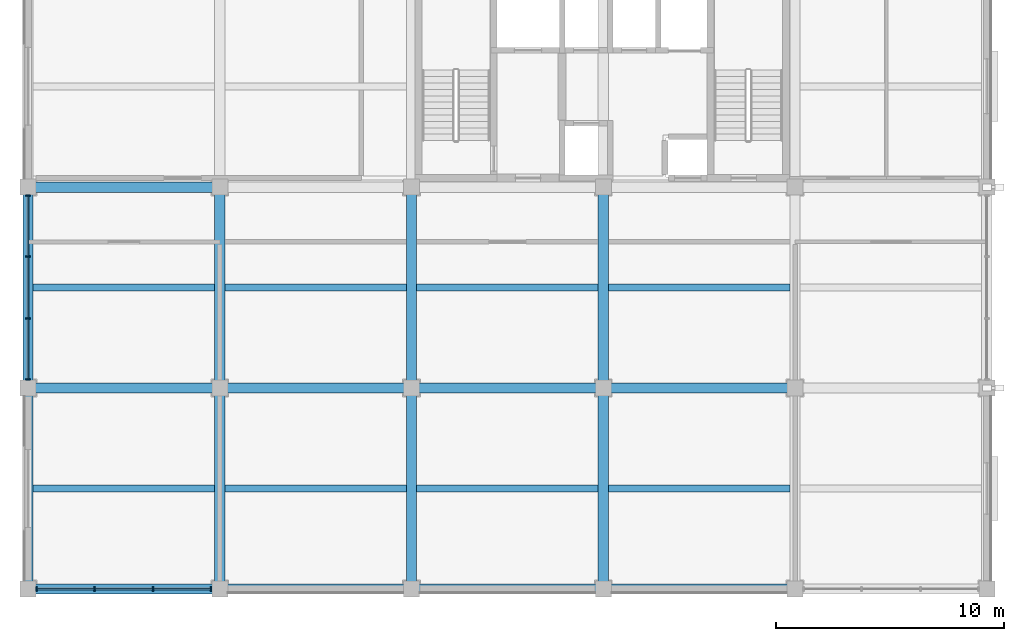
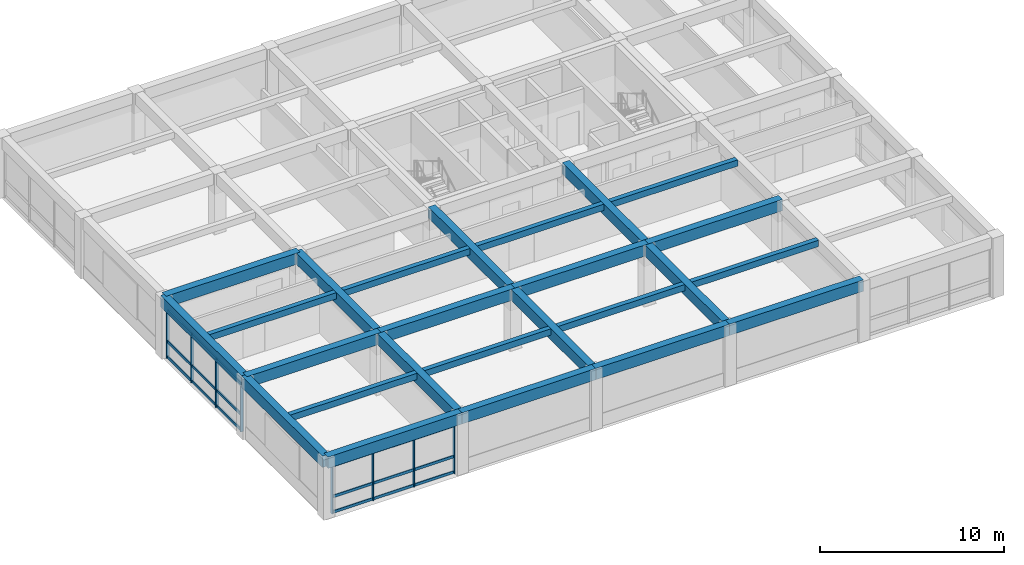
# One storey, part 2 of 14: 26 members, 25 beams, 2 elements without a shape of their own.
"""IFC4 building model written with IfcOpenShell, lengths in metres."""

from ifc_helpers import new_model, si_unit, direction, frame, origin, origin_2d, place, context, subcontext, project, spatial, rectangle, extrude, material, material_profile, profile_set, type_object, element, aggregate, save


model = new_model("IFC4")

# Units and contexts
model_context = context("Model", 3, precision=1e-05, world=origin(), true_north=direction((0.0, 1.0)))
body_context = subcontext(model_context, "Body", "Model", "MODEL_VIEW")
ifc_project = project(units=[si_unit("LENGTHUNIT", "METRE"), si_unit("AREAUNIT", "SQUARE_METRE"), si_unit("VOLUMEUNIT", "CUBIC_METRE"), si_unit("PLANEANGLEUNIT", "RADIAN"), si_unit("MASSUNIT", "GRAM", prefix="KILO")], contexts=[model_context])

# Site, building, storey
site_placement = place(None, origin())
site = spatial("IfcSite", under=ifc_project, at=site_placement, CompositionType="ELEMENT")
building_placement = place(site_placement, origin())
building = spatial("IfcBuilding", under=site, at=building_placement, Name="Kemercrest Conservatory and Botanical Centre", CompositionType="ELEMENT")
storey_placement = place(building_placement, frame((0.0, 0.0, 32.800048828125)))
storey = spatial("IfcBuildingStorey", under=building, at=storey_placement, Name="L08", CompositionType="ELEMENT", Elevation=32.800048828125)

# Beams
ifc_material_1 = material(Name="Concrete C40/50", Category="concrete")
ifc_material_profile_1 = material_profile(ifc_material_1, rectangle(XDim=0.449951171875, YDim=0.75, at=origin_2d()), Name="RC 450x750")
ifc_profile_set_1 = profile_set([ifc_material_profile_1], Name="Concrete C40/50")
beam_type_1 = type_object("IfcBeamType", Name="BM-RC75", PredefinedType="BEAM", material=ifc_profile_set_1)
beam_1_placement = place(storey_placement, frame((134.0, 96.0, 3.625), z_axis=(1.0, 0.0, 0.0), x_axis=(0.0, 1.0, 0.0)))
element("IfcBeam", 1, at=beam_1_placement, inside=storey, type_object=beam_type_1, Name="V4-L09 beam BM-RC75 L/16-17", PredefinedType="BEAM", context=body_context, shape_type="SweptSolid", body=[
    extrude(rectangle(XDim=0.449951171875, YDim=0.75, at=origin_2d()), origin(), (0.0, 0.0, 1.0), 8.39990234375),
])
beam_2_placement = place(storey_placement, frame((142.39990234375, 96.0, 3.625), z_axis=(1.0, 0.0, 0.0), x_axis=(0.0, 1.0, 0.0)))
element("IfcBeam", 2, at=beam_2_placement, inside=storey, type_object=beam_type_1, Name="V4-L09 beam BM-RC75 L/17-18", PredefinedType="BEAM", context=body_context, shape_type="SweptSolid", body=[
    extrude(rectangle(XDim=0.449951171875, YDim=0.75, at=origin_2d()), origin(), (0.0, 0.0, 1.0), 8.400146484375),
])
beam_3_placement = place(storey_placement, frame((150.800048828125, 96.0, 3.625), z_axis=(1.0, 0.0, 0.0), x_axis=(0.0, 1.0, 0.0)))
element("IfcBeam", 3, at=beam_3_placement, inside=storey, type_object=beam_type_1, Name="V4-L09 beam BM-RC75 L/18-19", PredefinedType="BEAM", context=body_context, shape_type="SweptSolid", body=[
    extrude(rectangle(XDim=0.449951171875, YDim=0.75, at=origin_2d()), origin(), (0.0, 0.0, 1.0), 8.39990234375),
])
beam_4_placement = place(storey_placement, frame((159.199951171875, 96.0, 3.625), z_axis=(1.0, 0.0, 0.0), x_axis=(0.0, 1.0, 0.0)))
element("IfcBeam", 4, at=beam_4_placement, inside=storey, type_object=beam_type_1, Name="V4-L09 beam BM-RC75 L/19-20", PredefinedType="BEAM", context=body_context, shape_type="SweptSolid", body=[
    extrude(rectangle(XDim=0.449951171875, YDim=0.75, at=origin_2d()), origin(), (0.0, 0.0, 1.0), 8.400146484375),
])
beam_5_placement = place(storey_placement, frame((134.0, 104.800048828125, 3.625), z_axis=(1.0, 0.0, 0.0), x_axis=(0.0, 1.0, 0.0)))
element("IfcBeam", 5, at=beam_5_placement, inside=storey, type_object=beam_type_1, Name="V4-L09 beam BM-RC75 M/16-17", PredefinedType="BEAM", context=body_context, shape_type="SweptSolid", body=[
    extrude(rectangle(XDim=0.449951171875, YDim=0.75, at=origin_2d()), origin(), (0.0, 0.0, 1.0), 8.39990234375),
])
for number, where, z_axis, x_axis, name in (
    (6, (142.39990234375, 87.199951171875, 3.625), (0.0, 1.0, 0.0), (-1.0, 0.0, 0.0), "V4-L09 beam BM-RC75 17/K-L"),
    (7, (142.39990234375, 96.0, 3.625), (0.0, 1.0, 0.0), (-1.0, 0.0, 0.0), "V4-L09 beam BM-RC75 17/L-M"),
    (8, (150.800048828125, 87.199951171875, 3.625), (0.0, 1.0, 0.0), (-1.0, 0.0, 0.0), "V4-L09 beam BM-RC75 18/K-L"),
    (9, (150.800048828125, 96.0, 3.625), (0.0, 1.0, 0.0), (-1.0, 0.0, 0.0), "V4-L09 beam BM-RC75 18/L-M"),
    (10, (159.199951171875, 87.199951171875, 3.625), (0.0, 1.0, 0.0), (-1.0, 0.0, 0.0), "V4-L09 beam BM-RC75 19/K-L"),
    (11, (159.199951171875, 96.0, 3.625), (0.0, 1.0, 0.0), (-1.0, 0.0, 0.0), "V4-L09 beam BM-RC75 19/L-M"),
):
    element("IfcBeam", number, at=place(storey_placement, frame(where, z_axis=z_axis, x_axis=x_axis)), inside=storey, type_object=beam_type_1, Name=name, PredefinedType="BEAM", context=body_context, shape_type="SweptSolid", body=[
        extrude(rectangle(XDim=0.449951171875, YDim=0.75, at=origin_2d()), origin(), (0.0, 0.0, 1.0), 8.800048828125),
    ])

# Curtain wall, members
ifc_material_2 = material(Name="Thermally broken aluminium and triple low-e glazing", Category="aluminium")
curtain_wall_type_1 = type_object("IfcCurtainWallType", Name="CW-05", PredefinedType="USERDEFINED", material=ifc_material_2)
curtain_wall_1_placement = place(storey_placement, origin())
curtain_wall_1 = element("IfcCurtainWall", 12, at=curtain_wall_1_placement, inside=storey, type_object=curtain_wall_type_1, Name="Unitised curtain wall CW-05 (CW:L08:V4-094)", ObjectType="UNITISED CURTAIN WALL", PredefinedType="USERDEFINED")
ifc_material_3 = material(Name="Thermally broken anodized aluminium 6063-T6", Category="aluminium")
ifc_material_profile_2 = material_profile(ifc_material_3, rectangle(XDim=0.199951171875, YDim=0.06494140625, at=origin_2d()), Name="AL MULLION 65x200")
ifc_profile_set_2 = profile_set([ifc_material_profile_2], Name="Thermally broken anodized aluminium 6063-T6")
member_type_1 = type_object("IfcMemberType", Name="CW-M200", PredefinedType="MULLION", material=ifc_profile_set_2)
member_1_placement = place(storey_placement, frame((134.37744140625, 87.199951171875, 0.0), z_axis=(0.0, 0.0, 1.0), x_axis=(0.0, 1.0, 0.0)))
member_1 = element("IfcMember", 13, at=member_1_placement, type_object=member_type_1, Name="CW-05 mullion 1", PredefinedType="MULLION", context=body_context, shape_type="SweptSolid", body=[
    extrude(rectangle(XDim=0.199951171875, YDim=0.06494140625, at=origin_2d()), origin(), (0.0, 0.0, 1.0), 3.2548828125),
])
member_2_placement = place(storey_placement, frame((136.9150390625, 87.199951171875, 0.0), z_axis=(0.0, 0.0, 1.0), x_axis=(0.0, 1.0, 0.0)))
member_2 = element("IfcMember", 14, at=member_2_placement, type_object=member_type_1, Name="CW-05 mullion 2", PredefinedType="MULLION", context=body_context, shape_type="SweptSolid", body=[
    extrude(rectangle(XDim=0.199951171875, YDim=0.06494140625, at=origin_2d()), origin(), (0.0, 0.0, 1.0), 3.2548828125),
])
member_3_placement = place(storey_placement, frame((139.485107421875, 87.199951171875, 0.0), z_axis=(0.0, 0.0, 1.0), x_axis=(0.0, 1.0, 0.0)))
member_3 = element("IfcMember", 15, at=member_3_placement, type_object=member_type_1, Name="CW-05 mullion 3", PredefinedType="MULLION", context=body_context, shape_type="SweptSolid", body=[
    extrude(rectangle(XDim=0.199951171875, YDim=0.06494140625, at=origin_2d()), origin(), (0.0, 0.0, 1.0), 3.2548828125),
])
member_4_placement = place(storey_placement, frame((142.0224609375, 87.199951171875, 0.0), z_axis=(0.0, 0.0, 1.0), x_axis=(0.0, 1.0, 0.0)))
member_4 = element("IfcMember", 16, at=member_4_placement, type_object=member_type_1, Name="CW-05 mullion 4", PredefinedType="MULLION", context=body_context, shape_type="SweptSolid", body=[
    extrude(rectangle(XDim=0.199951171875, YDim=0.06494140625, at=origin_2d()), origin(), (0.0, 0.0, 1.0), 3.2548828125),
])

curtain_wall_type_2 = type_object("IfcCurtainWallType", Name="CW-10", PredefinedType="USERDEFINED", material=ifc_material_2)
curtain_wall_2_placement = place(storey_placement, origin())
curtain_wall_2 = element("IfcCurtainWall", 17, at=curtain_wall_2_placement, inside=storey, type_object=curtain_wall_type_2, Name="Unitised curtain wall CW-10 (CW:L08:V4-099)", ObjectType="UNITISED CURTAIN WALL", PredefinedType="USERDEFINED")
member_5_placement = place(storey_placement, frame((134.0, 104.422607421875, 0.0), z_axis=(0.0, 0.0, 1.0), x_axis=(1.0, 0.0, 0.0)))
member_5 = element("IfcMember", 18, at=member_5_placement, type_object=member_type_1, Name="CW-10 mullion 1", PredefinedType="MULLION", context=body_context, shape_type="SweptSolid", body=[
    extrude(rectangle(XDim=0.199951171875, YDim=0.06494140625, at=origin_2d()), origin(), (0.0, 0.0, 1.0), 3.2548828125),
])
member_6_placement = place(storey_placement, frame((134.0, 101.751708984375, 0.0), z_axis=(0.0, 0.0, 1.0), x_axis=(1.0, 0.0, 0.0)))
member_6 = element("IfcMember", 19, at=member_6_placement, type_object=member_type_1, Name="CW-10 mullion 2", PredefinedType="MULLION", context=body_context, shape_type="SweptSolid", body=[
    extrude(rectangle(XDim=0.199951171875, YDim=0.06494140625, at=origin_2d()), origin(), (0.0, 0.0, 1.0), 3.2548828125),
])
member_7_placement = place(storey_placement, frame((134.0, 99.04833984375, 0.0), z_axis=(0.0, 0.0, 1.0), x_axis=(1.0, 0.0, 0.0)))
member_7 = element("IfcMember", 20, at=member_7_placement, type_object=member_type_1, Name="CW-10 mullion 3", PredefinedType="MULLION", context=body_context, shape_type="SweptSolid", body=[
    extrude(rectangle(XDim=0.199951171875, YDim=0.06494140625, at=origin_2d()), origin(), (0.0, 0.0, 1.0), 3.2548828125),
])
member_8_placement = place(storey_placement, frame((134.0, 96.37744140625, 0.0), z_axis=(0.0, 0.0, 1.0), x_axis=(1.0, 0.0, 0.0)))
member_8 = element("IfcMember", 21, at=member_8_placement, type_object=member_type_1, Name="CW-10 mullion 4", PredefinedType="MULLION", context=body_context, shape_type="SweptSolid", body=[
    extrude(rectangle(XDim=0.199951171875, YDim=0.06494140625, at=origin_2d()), origin(), (0.0, 0.0, 1.0), 3.2548828125),
])

# Member
ifc_material_profile_3 = material_profile(ifc_material_3, rectangle(XDim=0.074951171875, YDim=0.179931640625, at=origin_2d()), Name="AL TRANSOM 75x180")
ifc_profile_set_3 = profile_set([ifc_material_profile_3], Name="Thermally broken anodized aluminium 6063-T6")
member_type_2 = type_object("IfcMemberType", Name="CW-T180", PredefinedType="USERDEFINED", material=ifc_profile_set_3)
member_9_placement = place(storey_placement, frame((134.409912109375, 87.199951171875, 0.08984375), z_axis=(1.0, 0.0, 0.0), x_axis=(0.0, 1.0, 0.0)))
member_9 = element("IfcMember", 22, at=member_9_placement, type_object=member_type_2, Name="CW-05 transom 1.1", ObjectType="TRANSOM", PredefinedType="USERDEFINED", context=body_context, shape_type="SweptSolid", body=[
    extrude(rectangle(XDim=0.074951171875, YDim=0.179931640625, at=origin_2d()), origin(), (0.0, 0.0, 1.0), 2.47265625),
])

member_10_placement = place(storey_placement, frame((134.409912109375, 87.199951171875, 1.119873046875), z_axis=(1.0, 0.0, 0.0), x_axis=(0.0, 1.0, 0.0)))
member_10 = element("IfcMember", 23, at=member_10_placement, type_object=member_type_2, Name="CW-05 transom 1.2", ObjectType="TRANSOM", PredefinedType="USERDEFINED", context=body_context, shape_type="SweptSolid", body=[
    extrude(rectangle(XDim=0.074951171875, YDim=0.179931640625, at=origin_2d()), origin(), (0.0, 0.0, 1.0), 2.47265625),
])

member_11_placement = place(storey_placement, frame((134.409912109375, 87.199951171875, 3.1650390625), z_axis=(1.0, 0.0, 0.0), x_axis=(0.0, 1.0, 0.0)))
member_11 = element("IfcMember", 24, at=member_11_placement, type_object=member_type_2, Name="CW-05 transom 1.3", ObjectType="TRANSOM", PredefinedType="USERDEFINED", context=body_context, shape_type="SweptSolid", body=[
    extrude(rectangle(XDim=0.074951171875, YDim=0.179931640625, at=origin_2d()), origin(), (0.0, 0.0, 1.0), 2.47265625),
])

member_12_placement = place(storey_placement, frame((136.947509765625, 87.199951171875, 0.08984375), z_axis=(1.0, 0.0, 0.0), x_axis=(0.0, 1.0, 0.0)))
member_12 = element("IfcMember", 25, at=member_12_placement, type_object=member_type_2, Name="CW-05 transom 2.1", ObjectType="TRANSOM", PredefinedType="USERDEFINED", context=body_context, shape_type="SweptSolid", body=[
    extrude(rectangle(XDim=0.074951171875, YDim=0.179931640625, at=origin_2d()), origin(), (0.0, 0.0, 1.0), 2.5048828125),
])

member_13_placement = place(storey_placement, frame((136.947509765625, 87.199951171875, 1.119873046875), z_axis=(1.0, 0.0, 0.0), x_axis=(0.0, 1.0, 0.0)))
member_13 = element("IfcMember", 26, at=member_13_placement, type_object=member_type_2, Name="CW-05 transom 2.2", ObjectType="TRANSOM", PredefinedType="USERDEFINED", context=body_context, shape_type="SweptSolid", body=[
    extrude(rectangle(XDim=0.074951171875, YDim=0.179931640625, at=origin_2d()), origin(), (0.0, 0.0, 1.0), 2.5048828125),
])

member_14_placement = place(storey_placement, frame((136.947509765625, 87.199951171875, 3.1650390625), z_axis=(1.0, 0.0, 0.0), x_axis=(0.0, 1.0, 0.0)))
member_14 = element("IfcMember", 27, at=member_14_placement, type_object=member_type_2, Name="CW-05 transom 2.3", ObjectType="TRANSOM", PredefinedType="USERDEFINED", context=body_context, shape_type="SweptSolid", body=[
    extrude(rectangle(XDim=0.074951171875, YDim=0.179931640625, at=origin_2d()), origin(), (0.0, 0.0, 1.0), 2.5048828125),
])

member_15_placement = place(storey_placement, frame((139.517578125, 87.199951171875, 0.08984375), z_axis=(1.0, 0.0, 0.0), x_axis=(0.0, 1.0, 0.0)))
member_15 = element("IfcMember", 28, at=member_15_placement, type_object=member_type_2, Name="CW-05 transom 3.1", ObjectType="TRANSOM", PredefinedType="USERDEFINED", context=body_context, shape_type="SweptSolid", body=[
    extrude(rectangle(XDim=0.074951171875, YDim=0.179931640625, at=origin_2d()), origin(), (0.0, 0.0, 1.0), 2.472412109375),
])

member_16_placement = place(storey_placement, frame((139.517578125, 87.199951171875, 1.119873046875), z_axis=(1.0, 0.0, 0.0), x_axis=(0.0, 1.0, 0.0)))
member_16 = element("IfcMember", 29, at=member_16_placement, type_object=member_type_2, Name="CW-05 transom 3.2", ObjectType="TRANSOM", PredefinedType="USERDEFINED", context=body_context, shape_type="SweptSolid", body=[
    extrude(rectangle(XDim=0.074951171875, YDim=0.179931640625, at=origin_2d()), origin(), (0.0, 0.0, 1.0), 2.472412109375),
])

member_17_placement = place(storey_placement, frame((139.517578125, 87.199951171875, 3.1650390625), z_axis=(1.0, 0.0, 0.0), x_axis=(0.0, 1.0, 0.0)))
member_17 = element("IfcMember", 30, at=member_17_placement, type_object=member_type_2, Name="CW-05 transom 3.3", ObjectType="TRANSOM", PredefinedType="USERDEFINED", context=body_context, shape_type="SweptSolid", body=[
    extrude(rectangle(XDim=0.074951171875, YDim=0.179931640625, at=origin_2d()), origin(), (0.0, 0.0, 1.0), 2.472412109375),
])

aggregate(curtain_wall_1, [member_1, member_2, member_3, member_4, member_9, member_10, member_11, member_12, member_13, member_14, member_15, member_16, member_17])

member_18_placement = place(storey_placement, frame((134.0, 104.389892578125, 0.08984375), z_axis=(0.0, -1.0, 0.0), x_axis=(1.0, 0.0, 0.0)))
member_18 = element("IfcMember", 31, at=member_18_placement, type_object=member_type_2, Name="CW-10 transom 1.1", ObjectType="TRANSOM", PredefinedType="USERDEFINED", context=body_context, shape_type="SweptSolid", body=[
    extrude(rectangle(XDim=0.074951171875, YDim=0.179931640625, at=origin_2d()), origin(), (0.0, 0.0, 1.0), 2.605712890625),
])

member_19_placement = place(storey_placement, frame((134.0, 104.389892578125, 1.119873046875), z_axis=(0.0, -1.0, 0.0), x_axis=(1.0, 0.0, 0.0)))
member_19 = element("IfcMember", 32, at=member_19_placement, type_object=member_type_2, Name="CW-10 transom 1.2", ObjectType="TRANSOM", PredefinedType="USERDEFINED", context=body_context, shape_type="SweptSolid", body=[
    extrude(rectangle(XDim=0.074951171875, YDim=0.179931640625, at=origin_2d()), origin(), (0.0, 0.0, 1.0), 2.605712890625),
])

member_20_placement = place(storey_placement, frame((134.0, 104.389892578125, 3.1650390625), z_axis=(0.0, -1.0, 0.0), x_axis=(1.0, 0.0, 0.0)))
member_20 = element("IfcMember", 33, at=member_20_placement, type_object=member_type_2, Name="CW-10 transom 1.3", ObjectType="TRANSOM", PredefinedType="USERDEFINED", context=body_context, shape_type="SweptSolid", body=[
    extrude(rectangle(XDim=0.074951171875, YDim=0.179931640625, at=origin_2d()), origin(), (0.0, 0.0, 1.0), 2.605712890625),
])

member_21_placement = place(storey_placement, frame((134.0, 101.71923828125, 0.08984375), z_axis=(0.0, -1.0, 0.0), x_axis=(1.0, 0.0, 0.0)))
member_21 = element("IfcMember", 34, at=member_21_placement, type_object=member_type_2, Name="CW-10 transom 2.1", ObjectType="TRANSOM", PredefinedType="USERDEFINED", context=body_context, shape_type="SweptSolid", body=[
    extrude(rectangle(XDim=0.074951171875, YDim=0.179931640625, at=origin_2d()), origin(), (0.0, 0.0, 1.0), 2.638427734375),
])

member_22_placement = place(storey_placement, frame((134.0, 101.71923828125, 1.119873046875), z_axis=(0.0, -1.0, 0.0), x_axis=(1.0, 0.0, 0.0)))
member_22 = element("IfcMember", 35, at=member_22_placement, type_object=member_type_2, Name="CW-10 transom 2.2", ObjectType="TRANSOM", PredefinedType="USERDEFINED", context=body_context, shape_type="SweptSolid", body=[
    extrude(rectangle(XDim=0.074951171875, YDim=0.179931640625, at=origin_2d()), origin(), (0.0, 0.0, 1.0), 2.638427734375),
])

member_23_placement = place(storey_placement, frame((134.0, 101.71923828125, 3.1650390625), z_axis=(0.0, -1.0, 0.0), x_axis=(1.0, 0.0, 0.0)))
member_23 = element("IfcMember", 36, at=member_23_placement, type_object=member_type_2, Name="CW-10 transom 2.3", ObjectType="TRANSOM", PredefinedType="USERDEFINED", context=body_context, shape_type="SweptSolid", body=[
    extrude(rectangle(XDim=0.074951171875, YDim=0.179931640625, at=origin_2d()), origin(), (0.0, 0.0, 1.0), 2.638427734375),
])

member_24_placement = place(storey_placement, frame((134.0, 99.015869140625, 0.08984375), z_axis=(0.0, -1.0, 0.0), x_axis=(1.0, 0.0, 0.0)))
member_24 = element("IfcMember", 37, at=member_24_placement, type_object=member_type_2, Name="CW-10 transom 3.1", ObjectType="TRANSOM", PredefinedType="USERDEFINED", context=body_context, shape_type="SweptSolid", body=[
    extrude(rectangle(XDim=0.074951171875, YDim=0.179931640625, at=origin_2d()), origin(), (0.0, 0.0, 1.0), 2.60595703125),
])

member_25_placement = place(storey_placement, frame((134.0, 99.015869140625, 1.119873046875), z_axis=(0.0, -1.0, 0.0), x_axis=(1.0, 0.0, 0.0)))
member_25 = element("IfcMember", 38, at=member_25_placement, type_object=member_type_2, Name="CW-10 transom 3.2", ObjectType="TRANSOM", PredefinedType="USERDEFINED", context=body_context, shape_type="SweptSolid", body=[
    extrude(rectangle(XDim=0.074951171875, YDim=0.179931640625, at=origin_2d()), origin(), (0.0, 0.0, 1.0), 2.60595703125),
])

member_26_placement = place(storey_placement, frame((134.0, 99.015869140625, 3.1650390625), z_axis=(0.0, -1.0, 0.0), x_axis=(1.0, 0.0, 0.0)))
member_26 = element("IfcMember", 39, at=member_26_placement, type_object=member_type_2, Name="CW-10 transom 3.3", ObjectType="TRANSOM", PredefinedType="USERDEFINED", context=body_context, shape_type="SweptSolid", body=[
    extrude(rectangle(XDim=0.074951171875, YDim=0.179931640625, at=origin_2d()), origin(), (0.0, 0.0, 1.0), 2.60595703125),
])

aggregate(curtain_wall_2, [member_5, member_6, member_7, member_8, member_18, member_19, member_20, member_21, member_22, member_23, member_24, member_25, member_26])

# Beams
ifc_material_profile_4 = material_profile(ifc_material_1, rectangle(XDim=0.300048828125, YDim=0.419921875, at=origin_2d()), Name="RC 300x420")
ifc_profile_set_4 = profile_set([ifc_material_profile_4], Name="Concrete C40/50")
beam_type_2 = type_object("IfcBeamType", Name="JS-RC42", PredefinedType="JOIST", material=ifc_profile_set_4)
for number, where, z_axis, x_axis, name in (
    (40, (134.22509765625, 91.60009765625, 3.7900390625), (1.0, 0.0, 0.0), (0.0, 1.0, 0.0), "V4-L09 secondary joist JS-RC42"),
    (41, (142.625, 91.60009765625, 3.7900390625), (1.0, 0.0, 0.0), (0.0, 1.0, 0.0), "V4-L09 secondary joist JS-RC42"),
):
    element("IfcBeam", number, at=place(storey_placement, frame(where, z_axis=z_axis, x_axis=x_axis)), inside=storey, type_object=beam_type_2, Name=name, PredefinedType="JOIST", context=body_context, shape_type="SweptSolid", body=[
        extrude(rectangle(XDim=0.300048828125, YDim=0.419921875, at=origin_2d()), origin(), (0.0, 0.0, 1.0), 7.949951171875),
    ])
beam_6_placement = place(storey_placement, frame((151.02490234375, 91.60009765625, 3.7900390625), z_axis=(1.0, 0.0, 0.0), x_axis=(0.0, 1.0, 0.0)))
element("IfcBeam", 42, at=beam_6_placement, inside=storey, type_object=beam_type_2, Name="V4-L09 secondary joist JS-RC42", PredefinedType="JOIST", context=body_context, shape_type="SweptSolid", body=[
    extrude(rectangle(XDim=0.300048828125, YDim=0.419921875, at=origin_2d()), origin(), (0.0, 0.0, 1.0), 7.9501953125),
])
for number, where, z_axis, x_axis, name in (
    (43, (159.425048828125, 91.60009765625, 3.7900390625), (1.0, 0.0, 0.0), (0.0, 1.0, 0.0), "V4-L09 secondary joist JS-RC42"),
    (44, (134.22509765625, 100.39990234375, 3.7900390625), (1.0, 0.0, 0.0), (0.0, 1.0, 0.0), "V4-L09 secondary joist JS-RC42"),
    (45, (142.625, 100.39990234375, 3.7900390625), (1.0, 0.0, 0.0), (0.0, 1.0, 0.0), "V4-L09 secondary joist JS-RC42"),
):
    element("IfcBeam", number, at=place(storey_placement, frame(where, z_axis=z_axis, x_axis=x_axis)), inside=storey, type_object=beam_type_2, Name=name, PredefinedType="JOIST", context=body_context, shape_type="SweptSolid", body=[
        extrude(rectangle(XDim=0.300048828125, YDim=0.419921875, at=origin_2d()), origin(), (0.0, 0.0, 1.0), 7.949951171875),
    ])
beam_7_placement = place(storey_placement, frame((151.02490234375, 100.39990234375, 3.7900390625), z_axis=(1.0, 0.0, 0.0), x_axis=(0.0, 1.0, 0.0)))
element("IfcBeam", 46, at=beam_7_placement, inside=storey, type_object=beam_type_2, Name="V4-L09 secondary joist JS-RC42", PredefinedType="JOIST", context=body_context, shape_type="SweptSolid", body=[
    extrude(rectangle(XDim=0.300048828125, YDim=0.419921875, at=origin_2d()), origin(), (0.0, 0.0, 1.0), 7.9501953125),
])
beam_8_placement = place(storey_placement, frame((159.425048828125, 100.39990234375, 3.7900390625), z_axis=(1.0, 0.0, 0.0), x_axis=(0.0, 1.0, 0.0)))
element("IfcBeam", 47, at=beam_8_placement, inside=storey, type_object=beam_type_2, Name="V4-L09 secondary joist JS-RC42", PredefinedType="JOIST", context=body_context, shape_type="SweptSolid", body=[
    extrude(rectangle(XDim=0.300048828125, YDim=0.419921875, at=origin_2d()), origin(), (0.0, 0.0, 1.0), 7.949951171875),
])
ifc_material_profile_5 = material_profile(ifc_material_1, rectangle(XDim=0.449951171875, YDim=0.75, at=origin_2d()), Name="RC 450x750")
ifc_profile_set_5 = profile_set([ifc_material_profile_5], Name="Concrete C40/50")
beam_type_3 = type_object("IfcBeamType", Name="SP-RC75", PredefinedType="SPANDREL", material=ifc_profile_set_5)
beam_9_placement = place(storey_placement, frame((134.0, 87.199951171875, 3.625), z_axis=(1.0, 0.0, 0.0), x_axis=(0.0, 1.0, 0.0)))
element("IfcBeam", 48, at=beam_9_placement, inside=storey, type_object=beam_type_3, Name="V4-L09 beam SP-RC75 K/16-17", PredefinedType="SPANDREL", context=body_context, shape_type="SweptSolid", body=[
    extrude(rectangle(XDim=0.449951171875, YDim=0.75, at=origin_2d()), origin(), (0.0, 0.0, 1.0), 8.39990234375),
])
beam_10_placement = place(storey_placement, frame((142.39990234375, 87.199951171875, 3.625), z_axis=(1.0, 0.0, 0.0), x_axis=(0.0, 1.0, 0.0)))
element("IfcBeam", 49, at=beam_10_placement, inside=storey, type_object=beam_type_3, Name="V4-L09 beam SP-RC75 K/17-18", PredefinedType="SPANDREL", context=body_context, shape_type="SweptSolid", body=[
    extrude(rectangle(XDim=0.449951171875, YDim=0.75, at=origin_2d()), origin(), (0.0, 0.0, 1.0), 8.400146484375),
])
beam_11_placement = place(storey_placement, frame((150.800048828125, 87.199951171875, 3.625), z_axis=(1.0, 0.0, 0.0), x_axis=(0.0, 1.0, 0.0)))
element("IfcBeam", 50, at=beam_11_placement, inside=storey, type_object=beam_type_3, Name="V4-L09 beam SP-RC75 K/18-19", PredefinedType="SPANDREL", context=body_context, shape_type="SweptSolid", body=[
    extrude(rectangle(XDim=0.449951171875, YDim=0.75, at=origin_2d()), origin(), (0.0, 0.0, 1.0), 8.39990234375),
])
beam_12_placement = place(storey_placement, frame((159.199951171875, 87.199951171875, 3.625), z_axis=(1.0, 0.0, 0.0), x_axis=(0.0, 1.0, 0.0)))
element("IfcBeam", 51, at=beam_12_placement, inside=storey, type_object=beam_type_3, Name="V4-L09 beam SP-RC75 K/19-20", PredefinedType="SPANDREL", context=body_context, shape_type="SweptSolid", body=[
    extrude(rectangle(XDim=0.449951171875, YDim=0.75, at=origin_2d()), origin(), (0.0, 0.0, 1.0), 8.400146484375),
])
for number, where, z_axis, x_axis, name in (
    (52, (134.0, 87.199951171875, 3.625), (0.0, 1.0, 0.0), (-1.0, 0.0, 0.0), "V4-L09 beam SP-RC75 16/K-L"),
    (53, (134.0, 96.0, 3.625), (0.0, 1.0, 0.0), (-1.0, 0.0, 0.0), "V4-L09 beam SP-RC75 16/L-M"),
):
    element("IfcBeam", number, at=place(storey_placement, frame(where, z_axis=z_axis, x_axis=x_axis)), inside=storey, type_object=beam_type_3, Name=name, PredefinedType="SPANDREL", context=body_context, shape_type="SweptSolid", body=[
        extrude(rectangle(XDim=0.449951171875, YDim=0.75, at=origin_2d()), origin(), (0.0, 0.0, 1.0), 8.800048828125),
    ])

save(model, "model.ifc")
